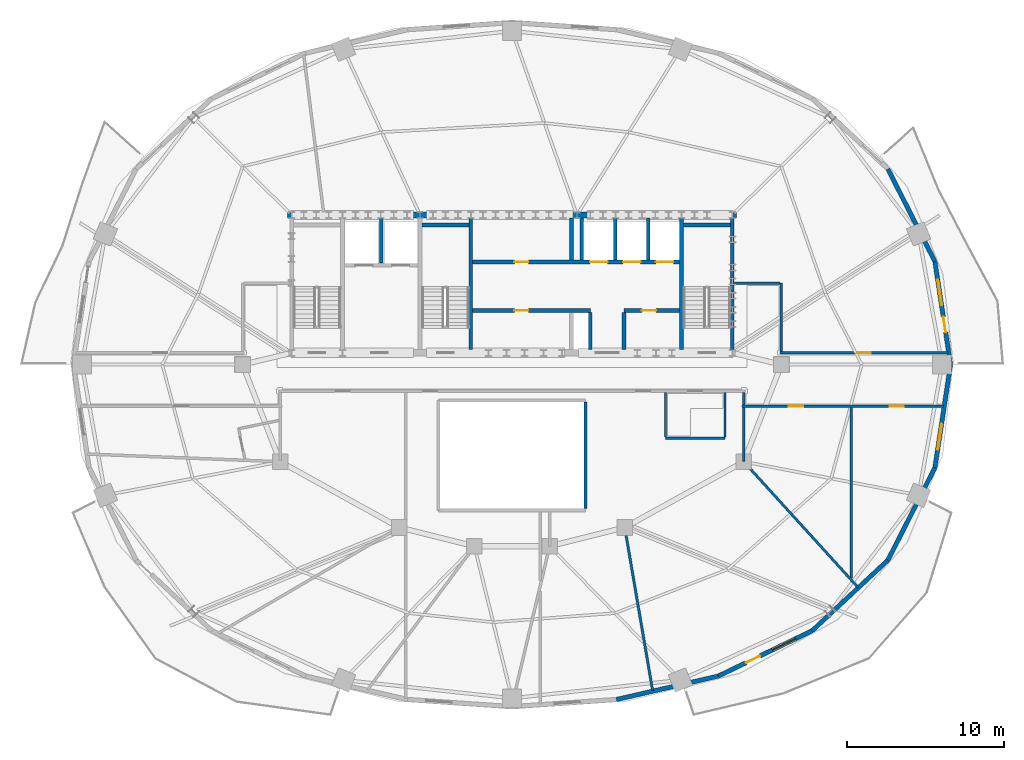
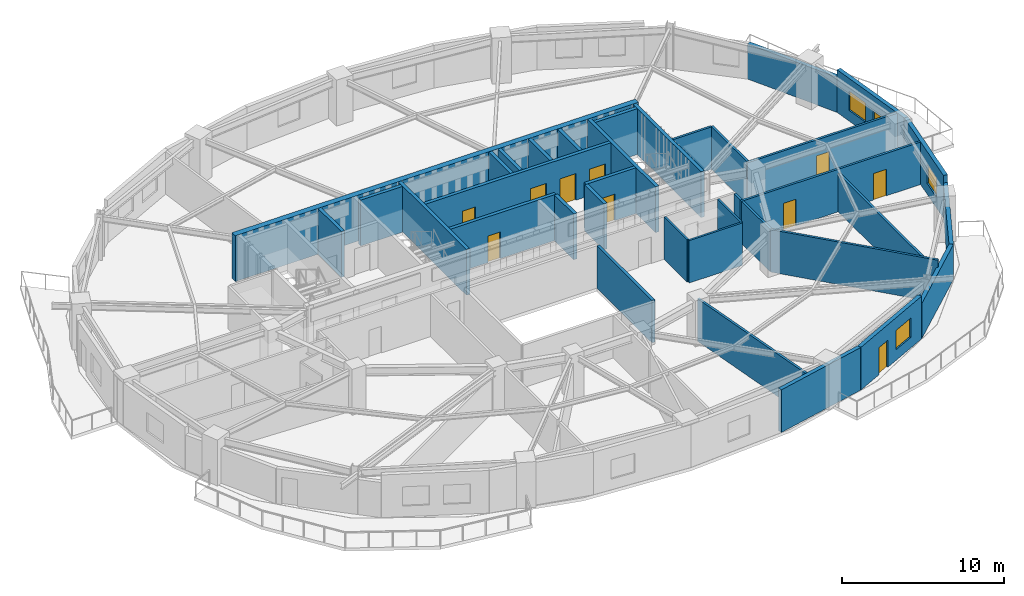
# One storey, part 5 of 11: 36 walls, 11 doors, 3 windows, 14 openings.
"""IFC4 building model written with IfcOpenShell, lengths in metres."""

from ifc_helpers import new_model, si_unit, direction, frame, frame_2d, origin, place, context, subcontext, project, spatial, rectangle, extrude, material, layer, layer_set, type_object, element, fill, save


model = new_model("IFC4")

# Units and contexts
model_context = context("Model", 3, precision=1e-05, world=origin(), true_north=direction((0.0, 1.0)))
body_context = subcontext(model_context, "Body", "Model", "MODEL_VIEW")
ifc_project = project(units=[si_unit("LENGTHUNIT", "METRE"), si_unit("AREAUNIT", "SQUARE_METRE"), si_unit("VOLUMEUNIT", "CUBIC_METRE"), si_unit("PLANEANGLEUNIT", "RADIAN"), si_unit("MASSUNIT", "GRAM", prefix="KILO")], contexts=[model_context])

# Site, building, storey
site_placement = place(None, origin())
site = spatial("IfcSite", under=ifc_project, at=site_placement, CompositionType="ELEMENT")
building_placement = place(site_placement, origin())
building = spatial("IfcBuilding", under=site, at=building_placement, Name="Haldorwick Loom Tower", CompositionType="ELEMENT")
storey_placement = place(building_placement, frame((0.0, 0.0, 208.300048828125)))
storey = spatial("IfcBuildingStorey", under=building, at=storey_placement, Name="L56", CompositionType="ELEMENT", Elevation=208.300048828125)

# Wall, openings, door, window
ifc_material_1 = material(Name="Pressed Clay Face Brick and Insulated Masonry Backup Assembly", Category="masonry")
ifc_layer_1 = layer(ifc_material_1, 0.280029296875, Name="Pressed Clay Face Brick and Insulated Masonry Backup Assembly", Category="masonry")
ifc_layer_set_1 = layer_set([ifc_layer_1], Name="Pressed Clay Face Brick and Insulated Masonry Backup Assembly")
wall_type_1 = type_object("IfcWallType", Name="ARC-WL-EXT280", PredefinedType="STANDARD", material=ifc_layer_set_1)
wall_1_placement = place(storey_placement, frame((64.00634765625, 26.0, 0.0), z_axis=(0.0, 0.0, 1.0), x_axis=(-0.150467697578, 0.988614926038, 0.0)))
wall_1 = element("IfcWall", 1, at=wall_1_placement, inside=storey, type_object=wall_type_1, Name="L56 Brick Pier and Spandrel Wall 1", PredefinedType="STANDARD", context=body_context, shape_type="SweptSolid", body=[
    extrude(rectangle(XDim=6.66064453125, YDim=0.280029296875, at=frame_2d((3.330322265625, 0.0))), origin(), (0.0, 0.0, 1.0), 3.2099609375),
])
opening_1_placement = place(wall_1_placement, frame((2.080078125, 0.0, 0.0)))
opening_1 = element("IfcOpeningElement", 2, at=opening_1_placement, cuts=wall_1, Name="Opening D-BL10", PredefinedType="OPENING", context=body_context, shape_type="SweptSolid", body=[
    extrude(rectangle(XDim=1.0, YDim=2.0400390625, at=frame_2d((0.5, 1.02001953125))), frame((0.0, 0.14990234375, 0.0), z_axis=(0.0, -1.0, 0.0), x_axis=(1.0, 0.0, 0.0)), (0.0, 0.0, 1.0), 0.300048828125),
])
opening_2_placement = place(wall_1_placement, frame((3.83740234375, 0.0, 0.800048828125)))
opening_2 = element("IfcOpeningElement", 3, at=opening_2_placement, cuts=wall_1, Name="Opening W-01B", PredefinedType="OPENING", context=body_context, shape_type="SweptSolid", body=[
    extrude(rectangle(XDim=1.64990234375, YDim=1.449951171875, at=frame_2d((0.824951171875, 0.72509765625))), frame((0.0, 0.14990234375, 0.0), z_axis=(0.0, -1.0, 0.0), x_axis=(1.0, 0.0, 0.0)), (0.0, 0.0, 1.0), 0.300048828125),
])
ifc_material_2 = material(Name="Thermally Broken Anodized Aluminium Curtain Wall Framing", Category="aluminium")
door_type_1 = type_object("IfcDoorType", Name="ARC-DR-BAL100", OperationType="NOTDEFINED", PredefinedType="DOOR", material=ifc_material_2)
door_1_placement = place(opening_1_placement, origin())
door_1 = element("IfcDoor", 4, at=door_1_placement, inside=storey, type_object=door_type_1, Name="L56 Outdoor Terrace Door SLB-L56-BAL_ENE", OperationType="SINGLE_SWING_RIGHT", OverallHeight=2.0400390625, OverallWidth=1.0, PredefinedType="DOOR", context=body_context, shape_type="SweptSolid", body=[
    extrude(rectangle(XDim=1.0, YDim=2.0400390625, at=frame_2d((0.5, 1.02001953125))), frame((0.0, 0.02490234375, 0.0), z_axis=(0.0, -1.0, 0.0), x_axis=(1.0, 0.0, 0.0)), (0.0, 0.0, 1.0), 0.050048828125),
])
fill(opening_1, door_1)
ifc_material_3 = material(Name="Triple-Glazed Low-E Argon Insulated Glazing Unit", Category="glass")
window_type = type_object("IfcWindowType", Name="ARC-WIN-W165", PartitioningType="SINGLE_PANEL", PredefinedType="WINDOW", material=ifc_material_3)
window_1_placement = place(opening_2_placement, origin())
window_1 = element("IfcWindow", 5, at=window_1_placement, inside=storey, type_object=window_type, Name="L56 Deep-Set Zone 7A Window 1", OverallHeight=1.449951171875, OverallWidth=1.64990234375, PartitioningType="SINGLE_PANEL", PredefinedType="WINDOW", context=body_context, shape_type="SweptSolid", body=[
    extrude(rectangle(XDim=1.64990234375, YDim=1.449951171875, at=frame_2d((0.824951171875, 0.72509765625))), frame((0.0, 0.030029296875, 0.0), z_axis=(0.0, -1.0, 0.0), x_axis=(1.0, 0.0, 0.0)), (0.0, 0.0, 1.0), 0.06005859375),
])
fill(opening_2, window_1)

# Walls
wall_2_placement = place(storey_placement, frame((63.004150390625, 32.584716796875, 0.0), z_axis=(0.0, 0.0, 1.0), x_axis=(-0.453032066879, 0.89149422117, 0.0)))
element("IfcWall", 6, at=wall_2_placement, inside=storey, type_object=wall_type_1, Name="L56 Brick Pier and Spandrel Wall 2", PredefinedType="STANDARD", context=body_context, shape_type="SweptSolid", body=[
    extrude(rectangle(XDim=6.618896484375, YDim=0.280029296875, at=frame_2d((3.3095703125, 0.0))), origin(), (0.0, 0.0, 1.0), 2.640869140625),
])
wall_3_placement = place(storey_placement, frame((42.665283203125, 4.61279296875, 0.0), z_axis=(0.0, 0.0, 1.0), x_axis=(0.974557343474, 0.224138315065, 0.0)))
element("IfcWall", 7, at=wall_3_placement, inside=storey, type_object=wall_type_1, Name="L56 Brick Pier and Spandrel Wall 20", PredefinedType="STANDARD", context=body_context, shape_type="SweptSolid", body=[
    extrude(rectangle(XDim=6.676025390625, YDim=0.280029296875, at=frame_2d((3.337890625, 0.0))), origin(), (0.0, 0.0, 1.0), 3.2099609375),
])

# Wall, openings, door, window
wall_4_placement = place(storey_placement, frame((49.17138671875, 6.109130859375, 0.0), z_axis=(0.0, 0.0, 1.0), x_axis=(0.900371236029, 0.435122554381, 0.0)))
wall_4 = element("IfcWall", 8, at=wall_4_placement, inside=storey, type_object=wall_type_1, Name="L56 Brick Pier and Spandrel Wall 21", PredefinedType="STANDARD", context=body_context, shape_type="SweptSolid", body=[
    extrude(rectangle(XDim=6.6533203125, YDim=0.280029296875, at=frame_2d((3.32666015625, 0.0))), origin(), (0.0, 0.0, 1.0), 3.2099609375),
])
opening_3_placement = place(wall_4_placement, frame((1.96435546875, 0.0, 0.0)))
opening_3 = element("IfcOpeningElement", 9, at=opening_3_placement, cuts=wall_4, Name="Opening D-BL10", PredefinedType="OPENING", context=body_context, shape_type="SweptSolid", body=[
    extrude(rectangle(XDim=1.0, YDim=2.0400390625, at=frame_2d((0.5, 1.02001953125))), frame((0.0, 0.14990234375, 0.0), z_axis=(0.0, -1.0, 0.0), x_axis=(1.0, 0.0, 0.0)), (0.0, 0.0, 1.0), 0.300048828125),
])
opening_4_placement = place(wall_4_placement, frame((3.832275390625, 0.0, 0.800048828125)))
opening_4 = element("IfcOpeningElement", 10, at=opening_4_placement, cuts=wall_4, Name="Opening W-01B", PredefinedType="OPENING", context=body_context, shape_type="SweptSolid", body=[
    extrude(rectangle(XDim=1.64990234375, YDim=1.449951171875, at=frame_2d((0.824951171875, 0.72509765625))), frame((0.0, 0.14990234375, 0.0), z_axis=(0.0, -1.0, 0.0), x_axis=(1.0, 0.0, 0.0)), (0.0, 0.0, 1.0), 0.300048828125),
])
door_2_placement = place(opening_3_placement, origin())
door_2 = element("IfcDoor", 11, at=door_2_placement, inside=storey, type_object=door_type_1, Name="L56 Outdoor Terrace Door SLB-L56-BAL_SE", OperationType="SINGLE_SWING_RIGHT", OverallHeight=2.0400390625, OverallWidth=1.0, PredefinedType="DOOR", context=body_context, shape_type="SweptSolid", body=[
    extrude(rectangle(XDim=1.0, YDim=2.0400390625, at=frame_2d((0.5, 1.02001953125))), frame((0.0, 0.02490234375, 0.0), z_axis=(0.0, -1.0, 0.0), x_axis=(1.0, 0.0, 0.0)), (0.0, 0.0, 1.0), 0.050048828125),
])
fill(opening_3, door_2)
window_2_placement = place(opening_4_placement, origin())
window_2 = element("IfcWindow", 12, at=window_2_placement, inside=storey, type_object=window_type, Name="L56 Deep-Set Zone 7A Window 21", OverallHeight=1.449951171875, OverallWidth=1.64990234375, PartitioningType="SINGLE_PANEL", PredefinedType="WINDOW", context=body_context, shape_type="SweptSolid", body=[
    extrude(rectangle(XDim=1.64990234375, YDim=1.449951171875, at=frame_2d((0.824951171875, 0.72509765625))), frame((0.0, 0.030029296875, 0.0), z_axis=(0.0, -1.0, 0.0), x_axis=(1.0, 0.0, 0.0)), (0.0, 0.0, 1.0), 0.06005859375),
])
fill(opening_4, window_2)

# Walls
wall_5_placement = place(storey_placement, frame((55.161865234375, 9.004150390625, 0.0), z_axis=(0.0, 0.0, 1.0), x_axis=(0.731833707499, 0.681483253329, 0.0)))
element("IfcWall", 13, at=wall_5_placement, inside=storey, type_object=wall_type_1, Name="L56 Brick Pier and Spandrel Wall 22", PredefinedType="STANDARD", context=body_context, shape_type="SweptSolid", body=[
    extrude(rectangle(XDim=6.61865234375, YDim=0.280029296875, at=frame_2d((3.309326171875, 0.0))), origin(), (0.0, 0.0, 1.0), 2.640869140625),
])
wall_6_placement = place(storey_placement, frame((60.005615234375, 13.5146484375, 0.0), z_axis=(0.0, 0.0, 1.0), x_axis=(0.453032066879, 0.89149422117, 0.0)))
element("IfcWall", 14, at=wall_6_placement, inside=storey, type_object=wall_type_1, Name="L56 Brick Pier and Spandrel Wall 23", PredefinedType="STANDARD", context=body_context, shape_type="SweptSolid", body=[
    extrude(rectangle(XDim=6.618896484375, YDim=0.280029296875, at=frame_2d((3.3095703125, 0.0))), origin(), (0.0, 0.0, 1.0), 2.640869140625),
])

# Wall, opening, window
wall_7_placement = place(storey_placement, frame((63.004150390625, 19.415283203125, 0.0), z_axis=(0.0, 0.0, 1.0), x_axis=(0.150467697578, 0.988614926038, 0.0)))
wall_7 = element("IfcWall", 15, at=wall_7_placement, inside=storey, type_object=wall_type_1, Name="L56 Brick Pier and Spandrel Wall 24", PredefinedType="STANDARD", context=body_context, shape_type="SweptSolid", body=[
    extrude(rectangle(XDim=6.66064453125, YDim=0.280029296875, at=frame_2d((3.330322265625, 0.0))), origin(), (0.0, 0.0, 1.0), 3.2099609375),
])
opening_5_placement = place(wall_7_placement, frame((1.173095703125, 0.0, 0.800048828125)))
opening_5 = element("IfcOpeningElement", 16, at=opening_5_placement, cuts=wall_7, Name="Opening W-01B", PredefinedType="OPENING", context=body_context, shape_type="SweptSolid", body=[
    extrude(rectangle(XDim=1.64990234375, YDim=1.449951171875, at=frame_2d((0.824951171875, 0.72509765625))), frame((0.0, 0.14990234375, 0.0), z_axis=(0.0, -1.0, 0.0), x_axis=(1.0, 0.0, 0.0)), (0.0, 0.0, 1.0), 0.300048828125),
])
window_3_placement = place(opening_5_placement, origin())
window_3 = element("IfcWindow", 17, at=window_3_placement, inside=storey, type_object=window_type, Name="L56 Deep-Set Zone 7A Window 24", OverallHeight=1.449951171875, OverallWidth=1.64990234375, PartitioningType="SINGLE_PANEL", PredefinedType="WINDOW", context=body_context, shape_type="SweptSolid", body=[
    extrude(rectangle(XDim=1.64990234375, YDim=1.449951171875, at=frame_2d((0.824951171875, 0.72509765625))), frame((0.0, 0.030029296875, 0.0), z_axis=(0.0, -1.0, 0.0), x_axis=(1.0, 0.0, 0.0)), (0.0, 0.0, 1.0), 0.06005859375),
])
fill(opening_5, window_3)

# Wall, openings, doors
ifc_material_4 = material(Name="Fire-Rated Type X Gypsum Stud Assembly EI 60")
ifc_layer_2 = layer(ifc_material_4, 0.159912109375, Name="Fire-Rated Type X Gypsum Stud Assembly EI 60")
ifc_layer_set_2 = layer_set([ifc_layer_2], Name="Fire-Rated Type X Gypsum Stud Assembly EI 60")
wall_type_2 = type_object("IfcWallType", Name="ARC-WL-FIRE160", PredefinedType="PARTITIONING", material=ifc_layer_set_2)
wall_8_placement = place(storey_placement, frame((50.699951171875, 23.35009765625, 0.0), z_axis=(0.0, 0.0, 1.0), x_axis=(1.0, 0.0, 0.0)))
wall_8 = element("IfcWall", 18, at=wall_8_placement, inside=storey, type_object=wall_type_2, Name="L56 Residential Fire Partition L56-CR-SPE", PredefinedType="PARTITIONING", context=body_context, shape_type="SweptSolid", body=[
    extrude(rectangle(XDim=12.857666015625, YDim=0.159912109375, at=frame_2d((6.4287109375, 0.0))), origin(), (0.0, 0.0, 1.0), 3.195068359375),
])
opening_6_placement = place(wall_8_placement, frame((2.986083984375, 0.0, 0.0)))
opening_6 = element("IfcOpeningElement", 19, at=opening_6_placement, cuts=wall_8, Name="Opening D-FD60A", PredefinedType="OPENING", context=body_context, shape_type="SweptSolid", body=[
    extrude(rectangle(XDim=0.89990234375, YDim=2.0, at=frame_2d((0.449951171875, 1.0))), frame((0.0, 0.08984375, 0.0), z_axis=(0.0, -1.0, 0.0), x_axis=(1.0, 0.0, 0.0)), (0.0, 0.0, 1.0), 0.179931640625),
])
opening_7_placement = place(wall_8_placement, frame((9.414794921875, 0.0, 0.0)))
opening_7 = element("IfcOpeningElement", 20, at=opening_7_placement, cuts=wall_8, Name="Opening D-FD60A", PredefinedType="OPENING", context=body_context, shape_type="SweptSolid", body=[
    extrude(rectangle(XDim=0.89990234375, YDim=2.0, at=frame_2d((0.449951171875, 1.0))), frame((0.0, 0.08984375, 0.0), z_axis=(0.0, -1.0, 0.0), x_axis=(1.0, 0.0, 0.0)), (0.0, 0.0, 1.0), 0.179931640625),
])
ifc_material_5 = material(Name="Hollow Steel Fire Door Assembly", Category="steel")
door_type_2 = type_object("IfcDoorType", Name="ARC-DR-FD60-90", OperationType="NOTDEFINED", PredefinedType="DOOR", material=ifc_material_5)
door_3_placement = place(opening_6_placement, origin())
door_3 = element("IfcDoor", 21, at=door_3_placement, inside=storey, type_object=door_type_2, Name="L56 L56 Central Residential Corridor to Resident Cafe Room 2 Door", OperationType="SINGLE_SWING_LEFT", OverallHeight=2.0, OverallWidth=0.89990234375, PredefinedType="DOOR", context=body_context, shape_type="SweptSolid", body=[
    extrude(rectangle(XDim=0.89990234375, YDim=2.0, at=frame_2d((0.449951171875, 1.0))), frame((0.0, 0.02490234375, 0.0), z_axis=(0.0, -1.0, 0.0), x_axis=(1.0, 0.0, 0.0)), (0.0, 0.0, 1.0), 0.050048828125),
])
fill(opening_6, door_3)
door_4_placement = place(opening_7_placement, origin())
door_4 = element("IfcDoor", 22, at=door_4_placement, inside=storey, type_object=door_type_2, Name="L56 L56 Central Residential Corridor to Shared Dining Hall 1 Door", OperationType="SINGLE_SWING_RIGHT", OverallHeight=2.0, OverallWidth=0.89990234375, PredefinedType="DOOR", context=body_context, shape_type="SweptSolid", body=[
    extrude(rectangle(XDim=0.89990234375, YDim=2.0, at=frame_2d((0.449951171875, 1.0))), frame((0.0, 0.02490234375, 0.0), z_axis=(0.0, -1.0, 0.0), x_axis=(1.0, 0.0, 0.0)), (0.0, 0.0, 1.0), 0.050048828125),
])
fill(opening_7, door_4)

# Wall
wall_9_placement = place(storey_placement, frame((50.800048828125, 23.43310546875, 0.0), z_axis=(0.0, 0.0, 1.0), x_axis=(0.0, 1.0, 0.0)))
element("IfcWall", 23, at=wall_9_placement, inside=storey, type_object=wall_type_2, Name="L56 Residential Fire Partition L56-CR-STE", PredefinedType="PARTITIONING", context=body_context, shape_type="SweptSolid", body=[
    extrude(rectangle(XDim=0.783935546875, YDim=0.159912109375, at=frame_2d((0.39208984375, 0.0))), origin(), (0.0, 0.0, 1.0), 3.195068359375),
])

# Wall, opening, door
wall_10_placement = place(storey_placement, frame((53.10009765625, 26.75, 0.0), z_axis=(0.0, 0.0, 1.0), x_axis=(1.0, 0.0, 0.0)))
wall_10 = element("IfcWall", 24, at=wall_10_placement, inside=storey, type_object=wall_type_2, Name="L56 Residential Fire Partition L56-CR-NEL", PredefinedType="PARTITIONING", context=body_context, shape_type="SweptSolid", body=[
    extrude(rectangle(XDim=10.74658203125, YDim=0.159912109375, at=frame_2d((5.373291015625, 0.0))), origin(), (0.0, 0.0, 1.0), 3.195068359375),
])
opening_8_placement = place(wall_10_placement, frame((4.92333984375, 0.0, 0.0)))
opening_8 = element("IfcOpeningElement", 25, at=opening_8_placement, cuts=wall_10, Name="Opening D-FD60A", PredefinedType="OPENING", context=body_context, shape_type="SweptSolid", body=[
    extrude(rectangle(XDim=0.89990234375, YDim=2.0, at=frame_2d((0.449951171875, 1.0))), frame((0.0, 0.08984375, 0.0), z_axis=(0.0, -1.0, 0.0), x_axis=(1.0, 0.0, 0.0)), (0.0, 0.0, 1.0), 0.179931640625),
])
door_5_placement = place(opening_8_placement, frame((0.89990234375, 0.0, 0.0), z_axis=(0.0, 0.0, 1.0), x_axis=(-1.0, 0.0, 0.0)))
door_5 = element("IfcDoor", 26, at=door_5_placement, inside=storey, type_object=door_type_2, Name="L56 Co-Working Open Office 8 to L56 Central Residential Corridor Door", OperationType="SINGLE_SWING_RIGHT", OverallHeight=2.0, OverallWidth=0.89990234375, PredefinedType="DOOR", context=body_context, shape_type="SweptSolid", body=[
    extrude(rectangle(XDim=0.89990234375, YDim=2.0, at=frame_2d((0.449951171875, 1.0))), frame((0.0, 0.02490234375, 0.0), z_axis=(0.0, -1.0, 0.0), x_axis=(1.0, 0.0, 0.0)), (0.0, 0.0, 1.0), 0.050048828125),
])
fill(opening_8, door_5)

# Walls
wall_11_placement = place(storey_placement, frame((53.199951171875, 26.8330078125, 0.0), z_axis=(0.0, 0.0, 1.0), x_axis=(0.0, 1.0, 0.0)))
element("IfcWall", 27, at=wall_11_placement, inside=storey, type_object=wall_type_2, Name="L56 Residential Fire Partition L56-CR-E0", PredefinedType="PARTITIONING", context=body_context, shape_type="SweptSolid", body=[
    extrude(rectangle(XDim=4.366943359375, YDim=0.159912109375, at=frame_2d((2.18359375, 0.0))), origin(), (0.0, 0.0, 1.0), 3.195068359375),
])
wall_12_placement = place(storey_placement, frame((50.193115234375, 31.199951171875, 0.0), z_axis=(0.0, 0.0, 1.0), x_axis=(1.0, 0.0, 0.0)))
element("IfcWall", 28, at=wall_12_placement, inside=storey, type_object=wall_type_2, Name="L56 Residential Fire Partition L56-CR-ENJ", PredefinedType="PARTITIONING", context=body_context, shape_type="SweptSolid", body=[
    extrude(rectangle(XDim=2.923828125, YDim=0.159912109375, at=frame_2d((1.4619140625, 0.0))), origin(), (0.0, 0.0, 1.0), 3.195068359375),
])
wall_13_placement = place(storey_placement, frame((50.800048828125, 19.800048828125, 0.0), z_axis=(0.0, 0.0, 1.0), x_axis=(0.672622296294, -0.739985977251, 0.0)))
element("IfcWall", 29, at=wall_13_placement, inside=storey, type_object=wall_type_2, Name="L56 Residential Fire Partition L56-ICR-02", PredefinedType="PARTITIONING", context=body_context, shape_type="SweptSolid", body=[
    extrude(rectangle(XDim=10.8291015625, YDim=0.159912109375, at=frame_2d((5.41455078125, 0.0))), origin(), (0.0, 0.0, 1.0), 3.195068359375),
])
wall_14_placement = place(storey_placement, frame((43.199951171875, 15.60009765625, 0.0), z_axis=(0.0, 0.0, 1.0), x_axis=(0.168424125472, -0.985714620952, 0.0)))
element("IfcWall", 30, at=wall_14_placement, inside=storey, type_object=wall_type_2, Name="L56 Residential Fire Partition L56-ICR-04", PredefinedType="PARTITIONING", context=body_context, shape_type="SweptSolid", body=[
    extrude(rectangle(XDim=10.56005859375, YDim=0.159912109375, at=frame_2d((5.280029296875, 0.0))), origin(), (0.0, 0.0, 1.0), 3.195068359375),
])
wall_15_placement = place(storey_placement, frame((50.800048828125, 23.26708984375, 0.0), z_axis=(0.0, 0.0, 1.0), x_axis=(0.0, -1.0, 0.0)))
element("IfcWall", 31, at=wall_15_placement, inside=storey, type_object=wall_type_2, Name="L56 Residential Fire Partition L56-ICA-01", PredefinedType="PARTITIONING", context=body_context, shape_type="SweptSolid", body=[
    extrude(rectangle(XDim=3.467041015625, YDim=0.159912109375, at=frame_2d((1.7333984375, 0.0))), origin(), (0.0, 0.0, 1.0), 3.195068359375),
])
wall_16_placement = place(storey_placement, frame((57.66748046875, 12.3681640625, 0.0), z_axis=(0.0, 0.0, 1.0), x_axis=(0.0, 1.0, 0.0)))
element("IfcWall", 32, at=wall_16_placement, inside=storey, type_object=wall_type_2, Name="L56 Suite Split Wall", PredefinedType="PARTITIONING", context=body_context, shape_type="SweptSolid", body=[
    extrude(rectangle(XDim=10.89892578125, YDim=0.159912109375, at=frame_2d((5.449462890625, 0.0))), origin(), (0.0, 0.0, 1.0), 2.8720703125),
])
ifc_material_6 = material(Name="Fire-Rated Type X Gypsum Stud Assembly EI 120")
ifc_layer_3 = layer(ifc_material_6, 0.199951171875, Name="Fire-Rated Type X Gypsum Stud Assembly EI 120")
ifc_layer_set_3 = layer_set([ifc_layer_3], Name="Fire-Rated Type X Gypsum Stud Assembly EI 120")
wall_type_3 = type_object("IfcWallType", Name="ARC-WL-FIRE200", PredefinedType="PARTITIONING", material=ifc_layer_set_3)
wall_17_placement = place(storey_placement, frame((40.699951171875, 23.596923828125, 0.0), z_axis=(0.0, 0.0, 1.0), x_axis=(0.0, -1.0, 0.0)))
element("IfcWall", 33, at=wall_17_placement, inside=storey, type_object=wall_type_3, Name="L56 Atrium Fire Enclosure Wall E", PredefinedType="PARTITIONING", context=body_context, shape_type="SweptSolid", body=[
    extrude(rectangle(XDim=6.7939453125, YDim=0.199951171875, at=frame_2d((3.39697265625, 0.0))), origin(), (0.0, 0.0, 1.0), 3.195068359375),
])
ifc_layer_4 = layer(ifc_material_4, 0.139892578125, Name="Fire-Rated Type X Gypsum Stud Assembly EI 60")
ifc_layer_set_4 = layer_set([ifc_layer_4], Name="Fire-Rated Type X Gypsum Stud Assembly EI 60")
wall_type_4 = type_object("IfcWallType", Name="ARC-WL-PART140", PredefinedType="PARTITIONING", material=ifc_layer_set_4)
wall_18_placement = place(storey_placement, frame((45.800048828125, 21.300048828125, 0.0), z_axis=(0.0, 0.0, 1.0), x_axis=(1.0, 0.0, 0.0)))
element("IfcWall", 34, at=wall_18_placement, inside=storey, type_object=wall_type_4, Name="L56 Residential Fire Partition L56-CWC-S", PredefinedType="PARTITIONING", context=body_context, shape_type="SweptSolid", body=[
    extrude(rectangle(XDim=3.800048828125, YDim=0.139892578125, at=frame_2d((1.89990234375, 0.0))), origin(), (0.0, 0.0, 1.0), 3.195068359375),
])
for number, where, z_axis, x_axis, name in (
    (35, (45.800048828125, 21.373046875, 0.0), (0.0, 0.0, 1.0), (0.0, 1.0, 0.0), "L56 Residential Fire Partition L56-CWC-W"),
    (36, (49.60009765625, 21.373046875, 0.0), (0.0, 0.0, 1.0), (0.0, 1.0, 0.0), "L56 Residential Fire Partition L56-CWC-E"),
):
    element("IfcWall", number, at=place(storey_placement, frame(where, z_axis=z_axis, x_axis=x_axis)), inside=storey, type_object=wall_type_4, Name=name, PredefinedType="PARTITIONING", context=body_context, shape_type="SweptSolid", body=[
        extrude(rectangle(XDim=2.843994140625, YDim=0.139892578125, at=frame_2d((1.421875, 0.0))), origin(), (0.0, 0.0, 1.0), 3.195068359375),
    ])
ifc_material_7 = material(Name="Concrete C50 (50 MPa)", Category="concrete")
ifc_layer_5 = layer(ifc_material_7, 0.39990234375, Name="Concrete C50 (50 MPa)", Category="concrete")
ifc_layer_set_5 = layer_set([ifc_layer_5], Name="Concrete C50 (50 MPa)")
wall_type_5 = type_object("IfcWallType", Name="STR-WL-CORE400", PredefinedType="SHEAR", material=ifc_layer_set_5)
wall_19_placement = place(storey_placement, frame((50.35009765625, 35.550048828125, 0.0), z_axis=(0.0, 0.0, 1.0), x_axis=(-1.0, 0.0, 0.0)))
element("IfcWall", 37, at=wall_19_placement, inside=storey, type_object=wall_type_5, Name="L56 Core Shear Wall N", PredefinedType="SHEAR", context=body_context, shape_type="SweptSolid", body=[
    extrude(rectangle(XDim=28.7001953125, YDim=0.39990234375, at=frame_2d((14.35009765625, 0.0))), origin(), (0.0, 0.0, 1.0), 3.449951171875),
])
ifc_layer_6 = layer(ifc_material_7, 0.239990234375, Name="Concrete C50 (50 MPa)", Category="concrete")
ifc_layer_set_6 = layer_set([ifc_layer_6], Name="Concrete C50 (50 MPa)")
wall_type_6 = type_object("IfcWallType", Name="STR-WL-SHAFT240", PredefinedType="SHEAR", material=ifc_layer_set_6)
for number, where, z_axis, x_axis, name in (
    (38, (50.070068359375, 26.952880859375, 0.0), (0.0, 0.0, 1.0), (0.0, 1.0, 0.0), "L56 Core Shear Wall E"),
    (39, (33.3701171875, 26.952880859375, 0.0), (0.0, 0.0, 1.0), (0.0, 1.0, 0.0), "L56 Core Shear Wall 3"),
):
    element("IfcWall", number, at=place(storey_placement, frame(where, z_axis=z_axis, x_axis=x_axis)), inside=storey, type_object=wall_type_6, Name=name, PredefinedType="SHEAR", context=body_context, shape_type="SweptSolid", body=[
        extrude(rectangle(XDim=8.39404296875, YDim=0.239990234375, at=frame_2d((4.197021484375, 0.0))), origin(), (0.0, 0.0, 1.0), 3.449951171875),
    ])
wall_20_placement = place(storey_placement, frame((30.2529296875, 34.919921875, 0.0), z_axis=(0.0, 0.0, 1.0), x_axis=(1.0, 0.0, 0.0)))
element("IfcWall", 40, at=wall_20_placement, inside=storey, type_object=wall_type_6, Name="L56 Core Shear Wall 3N", PredefinedType="SHEAR", context=body_context, shape_type="SweptSolid", body=[
    extrude(rectangle(XDim=2.994140625, YDim=0.239990234375, at=frame_2d((1.4970703125, 0.0))), origin(), (0.0, 0.0, 1.0), 3.449951171875),
])
wall_21_placement = place(storey_placement, frame((46.830078125, 26.952880859375, 0.0), z_axis=(0.0, 0.0, 1.0), x_axis=(0.0, 1.0, 0.0)))
element("IfcWall", 41, at=wall_21_placement, inside=storey, type_object=wall_type_6, Name="L56 Core Shear Wall 4", PredefinedType="SHEAR", context=body_context, shape_type="SweptSolid", body=[
    extrude(rectangle(XDim=8.39404296875, YDim=0.239990234375, at=frame_2d((4.197021484375, 0.0))), origin(), (0.0, 0.0, 1.0), 3.449951171875),
])
wall_22_placement = place(storey_placement, frame((46.952880859375, 34.919921875, 0.0), z_axis=(0.0, 0.0, 1.0), x_axis=(1.0, 0.0, 0.0)))
element("IfcWall", 42, at=wall_22_placement, inside=storey, type_object=wall_type_6, Name="L56 Core Shear Wall 4N", PredefinedType="SHEAR", context=body_context, shape_type="SweptSolid", body=[
    extrude(rectangle(XDim=2.994140625, YDim=0.239990234375, at=frame_2d((1.4970703125, 0.0))), origin(), (0.0, 0.0, 1.0), 3.449951171875),
])
wall_23_placement = place(storey_placement, frame((27.64990234375, 32.472900390625, 0.0), z_axis=(0.0, 0.0, 1.0), x_axis=(0.0, 1.0, 0.0)))
element("IfcWall", 43, at=wall_23_placement, inside=storey, type_object=wall_type_6, Name="L56 Core Shear Wall FFD", PredefinedType="SHEAR", context=body_context, shape_type="SweptSolid", body=[
    extrude(rectangle(XDim=2.8740234375, YDim=0.239990234375, at=frame_2d((1.43701171875, 0.0))), origin(), (0.0, 0.0, 1.0), 3.449951171875),
])

# Wall, openings, doors
wall_24_placement = place(storey_placement, frame((33.492919921875, 32.550048828125, 0.0), z_axis=(0.0, 0.0, 1.0), x_axis=(1.0, 0.0, 0.0)))
wall_24 = element("IfcWall", 44, at=wall_24_placement, inside=storey, type_object=wall_type_6, Name="L56 Core Shear Wall LN", PredefinedType="SHEAR", context=body_context, shape_type="SweptSolid", body=[
    extrude(rectangle(XDim=13.214111328125, YDim=0.239990234375, at=frame_2d((6.60693359375, 0.0))), origin(), (0.0, 0.0, 1.0), 3.449951171875),
])
opening_9_placement = place(wall_24_placement, frame((2.656982421875, 0.0, 0.0)))
opening_9 = element("IfcOpeningElement", 45, at=opening_9_placement, cuts=wall_24, Name="Opening D-FD60A", PredefinedType="OPENING", context=body_context, shape_type="SweptSolid", body=[
    extrude(rectangle(XDim=0.89990234375, YDim=2.0, at=frame_2d((0.449951171875, 1.0))), frame((0.0, 0.1298828125, 0.0), z_axis=(0.0, -1.0, 0.0), x_axis=(1.0, 0.0, 0.0)), (0.0, 0.0, 1.0), 0.260009765625),
])
opening_10_placement = place(wall_24_placement, frame((7.4970703125, 0.0, 0.0)))
opening_10 = element("IfcOpeningElement", 46, at=opening_10_placement, cuts=wall_24, Name="Opening LD-H1", PredefinedType="OPENING", context=body_context, shape_type="SweptSolid", body=[
    extrude(rectangle(XDim=1.1201171875, YDim=2.0, at=frame_2d((0.56005859375, 1.0))), frame((0.0, 0.1298828125, 0.0), z_axis=(0.0, -1.0, 0.0), x_axis=(1.0, 0.0, 0.0)), (0.0, 0.0, 1.0), 0.260009765625),
])
opening_11_placement = place(wall_24_placement, frame((9.596923828125, 0.0, 0.0)))
opening_11 = element("IfcOpeningElement", 47, at=opening_11_placement, cuts=wall_24, Name="Opening LD-H2", PredefinedType="OPENING", context=body_context, shape_type="SweptSolid", body=[
    extrude(rectangle(XDim=1.1201171875, YDim=2.0, at=frame_2d((0.56005859375, 1.0))), frame((0.0, 0.1298828125, 0.0), z_axis=(0.0, -1.0, 0.0), x_axis=(1.0, 0.0, 0.0)), (0.0, 0.0, 1.0), 0.260009765625),
])
opening_12_placement = place(wall_24_placement, frame((11.697021484375, 0.0, 0.0)))
opening_12 = element("IfcOpeningElement", 48, at=opening_12_placement, cuts=wall_24, Name="Opening LD-H3", PredefinedType="OPENING", context=body_context, shape_type="SweptSolid", body=[
    extrude(rectangle(XDim=1.1201171875, YDim=2.0, at=frame_2d((0.56005859375, 1.0))), frame((0.0, 0.1298828125, 0.0), z_axis=(0.0, -1.0, 0.0), x_axis=(1.0, 0.0, 0.0)), (0.0, 0.0, 1.0), 0.260009765625),
])
door_6_placement = place(opening_9_placement, frame((0.89990234375, 0.0, 0.0), z_axis=(0.0, 0.0, 1.0), x_axis=(-1.0, 0.0, 0.0)))
door_6 = element("IfcDoor", 49, at=door_6_placement, inside=storey, type_object=door_type_2, Name="L56 Housekeeping Store Door", OperationType="SINGLE_SWING_LEFT", OverallHeight=2.0, OverallWidth=0.89990234375, PredefinedType="DOOR", context=body_context, shape_type="SweptSolid", body=[
    extrude(rectangle(XDim=0.89990234375, YDim=2.0, at=frame_2d((0.449951171875, 1.0))), frame((0.0, 0.02490234375, 0.0), z_axis=(0.0, -1.0, 0.0), x_axis=(1.0, 0.0, 0.0)), (0.0, 0.0, 1.0), 0.050048828125),
])
fill(opening_9, door_6)
door_type_3 = type_object("IfcDoorType", Name="ARC-DR-LD-PAX", OperationType="NOTDEFINED", PredefinedType="USERDEFINED", material=ifc_material_5)
door_7_placement = place(opening_10_placement, origin())
door_7 = element("IfcDoor", 50, at=door_7_placement, inside=storey, type_object=door_type_3, Name="L56 Lift LF-H1 Sliding Landing Door", ObjectType="LANDING DOOR", OperationType="DOUBLE_DOOR_SLIDING", OverallHeight=2.0, OverallWidth=1.1201171875, PredefinedType="USERDEFINED", context=body_context, shape_type="SweptSolid", body=[
    extrude(rectangle(XDim=1.1201171875, YDim=2.0, at=frame_2d((0.56005859375, 1.0))), frame((0.0, 0.02490234375, 0.0), z_axis=(0.0, -1.0, 0.0), x_axis=(1.0, 0.0, 0.0)), (0.0, 0.0, 1.0), 0.050048828125),
])
fill(opening_10, door_7)
door_8_placement = place(opening_11_placement, origin())
door_8 = element("IfcDoor", 51, at=door_8_placement, inside=storey, type_object=door_type_3, Name="L56 Lift LF-H2 Sliding Landing Door", ObjectType="LANDING DOOR", OperationType="DOUBLE_DOOR_SLIDING", OverallHeight=2.0, OverallWidth=1.1201171875, PredefinedType="USERDEFINED", context=body_context, shape_type="SweptSolid", body=[
    extrude(rectangle(XDim=1.1201171875, YDim=2.0, at=frame_2d((0.56005859375, 1.0))), frame((0.0, 0.02490234375, 0.0), z_axis=(0.0, -1.0, 0.0), x_axis=(1.0, 0.0, 0.0)), (0.0, 0.0, 1.0), 0.050048828125),
])
fill(opening_11, door_8)
door_9_placement = place(opening_12_placement, origin())
door_9 = element("IfcDoor", 52, at=door_9_placement, inside=storey, type_object=door_type_3, Name="L56 Lift LF-H3 Sliding Landing Door", ObjectType="LANDING DOOR", OperationType="DOUBLE_DOOR_SLIDING", OverallHeight=2.0, OverallWidth=1.1201171875, PredefinedType="USERDEFINED", context=body_context, shape_type="SweptSolid", body=[
    extrude(rectangle(XDim=1.1201171875, YDim=2.0, at=frame_2d((0.56005859375, 1.0))), frame((0.0, 0.02490234375, 0.0), z_axis=(0.0, -1.0, 0.0), x_axis=(1.0, 0.0, 0.0)), (0.0, 0.0, 1.0), 0.050048828125),
])
fill(opening_12, door_9)

# Wall, opening, door
wall_25_placement = place(storey_placement, frame((33.492919921875, 29.449951171875, 0.0), z_axis=(0.0, 0.0, 1.0), x_axis=(1.0, 0.0, 0.0)))
wall_25 = element("IfcWall", 53, at=wall_25_placement, inside=storey, type_object=wall_type_6, Name="L56 Core Shear Wall LS1", PredefinedType="SHEAR", context=body_context, shape_type="SweptSolid", body=[
    extrude(rectangle(XDim=7.507080078125, YDim=0.239990234375, at=frame_2d((3.75341796875, 0.0))), origin(), (0.0, 0.0, 1.0), 3.449951171875),
])
opening_13_placement = place(wall_25_placement, frame((2.656982421875, 0.0, 0.0)))
opening_13 = element("IfcOpeningElement", 54, at=opening_13_placement, cuts=wall_25, Name="Opening D-FD60A", PredefinedType="OPENING", context=body_context, shape_type="SweptSolid", body=[
    extrude(rectangle(XDim=0.89990234375, YDim=2.0, at=frame_2d((0.449951171875, 1.0))), frame((0.0, 0.1298828125, 0.0), z_axis=(0.0, -1.0, 0.0), x_axis=(1.0, 0.0, 0.0)), (0.0, 0.0, 1.0), 0.260009765625),
])
door_10_placement = place(opening_13_placement, origin())
door_10 = element("IfcDoor", 55, at=door_10_placement, inside=storey, type_object=door_type_2, Name="L56 Switch Room Door", OperationType="SINGLE_SWING_RIGHT", OverallHeight=2.0, OverallWidth=0.89990234375, PredefinedType="DOOR", context=body_context, shape_type="SweptSolid", body=[
    extrude(rectangle(XDim=0.89990234375, YDim=2.0, at=frame_2d((0.449951171875, 1.0))), frame((0.0, 0.02490234375, 0.0), z_axis=(0.0, -1.0, 0.0), x_axis=(1.0, 0.0, 0.0)), (0.0, 0.0, 1.0), 0.050048828125),
])
fill(opening_13, door_10)

wall_26_placement = place(storey_placement, frame((43.14990234375, 29.449951171875, 0.0), z_axis=(0.0, 0.0, 1.0), x_axis=(1.0, 0.0, 0.0)))
wall_26 = element("IfcWall", 56, at=wall_26_placement, inside=storey, type_object=wall_type_6, Name="L56 Core Shear Wall LS2", PredefinedType="SHEAR", context=body_context, shape_type="SweptSolid", body=[
    extrude(rectangle(XDim=3.55712890625, YDim=0.239990234375, at=frame_2d((1.778564453125, 0.0))), origin(), (0.0, 0.0, 1.0), 3.449951171875),
])
opening_14_placement = place(wall_26_placement, frame((1.14990234375, 0.0, 0.0)))
opening_14 = element("IfcOpeningElement", 57, at=opening_14_placement, cuts=wall_26, Name="Opening D-FD60A", PredefinedType="OPENING", context=body_context, shape_type="SweptSolid", body=[
    extrude(rectangle(XDim=0.89990234375, YDim=2.0, at=frame_2d((0.449951171875, 1.0))), frame((0.0, 0.1298828125, 0.0), z_axis=(0.0, -1.0, 0.0), x_axis=(1.0, 0.0, 0.0)), (0.0, 0.0, 1.0), 0.260009765625),
])
door_11_placement = place(opening_14_placement, origin())
door_11 = element("IfcDoor", 58, at=door_11_placement, inside=storey, type_object=door_type_2, Name="L56 Electrical Metering Door", OperationType="SINGLE_SWING_LEFT", OverallHeight=2.0, OverallWidth=0.89990234375, PredefinedType="DOOR", context=body_context, shape_type="SweptSolid", body=[
    extrude(rectangle(XDim=0.89990234375, YDim=2.0, at=frame_2d((0.449951171875, 1.0))), frame((0.0, 0.02490234375, 0.0), z_axis=(0.0, -1.0, 0.0), x_axis=(1.0, 0.0, 0.0)), (0.0, 0.0, 1.0), 0.050048828125),
])
fill(opening_14, door_11)

# Walls
for number, where, z_axis, x_axis, name in (
    (59, (41.0, 26.952880859375, 0.0), (0.0, 0.0, 1.0), (0.0, 1.0, 0.0), "L56 Core Shear Wall THW"),
    (60, (43.14990234375, 26.952880859375, 0.0), (0.0, 0.0, 1.0), (0.0, 1.0, 0.0), "L56 Core Shear Wall THE"),
):
    element("IfcWall", number, at=place(storey_placement, frame(where, z_axis=z_axis, x_axis=x_axis)), inside=storey, type_object=wall_type_6, Name=name, PredefinedType="SHEAR", context=body_context, shape_type="SweptSolid", body=[
        extrude(rectangle(XDim=2.3740234375, YDim=0.239990234375, at=frame_2d((1.18701171875, 0.0))), origin(), (0.0, 0.0, 1.0), 3.449951171875),
    ])
for number, where, z_axis, x_axis, name in (
    (61, (39.800048828125, 32.673095703125, 0.0), (0.0, 0.0, 1.0), (0.0, 1.0, 0.0), "L56 Core Shear Wall LHW"),
    (62, (40.449951171875, 32.673095703125, 0.0), (0.0, 0.0, 1.0), (0.0, 1.0, 0.0), "L56 Core Shear Wall H0"),
    (63, (42.60009765625, 32.673095703125, 0.0), (0.0, 0.0, 1.0), (0.0, 1.0, 0.0), "L56 Core Shear Wall H1"),
    (64, (44.699951171875, 32.673095703125, 0.0), (0.0, 0.0, 1.0), (0.0, 1.0, 0.0), "L56 Core Shear Wall H2"),
):
    element("IfcWall", number, at=place(storey_placement, frame(where, z_axis=z_axis, x_axis=x_axis)), inside=storey, type_object=wall_type_6, Name=name, PredefinedType="SHEAR", context=body_context, shape_type="SweptSolid", body=[
        extrude(rectangle(XDim=2.673828125, YDim=0.239990234375, at=frame_2d((1.3369140625, 0.0))), origin(), (0.0, 0.0, 1.0), 3.449951171875),
    ])

save(model, "model.ifc")
